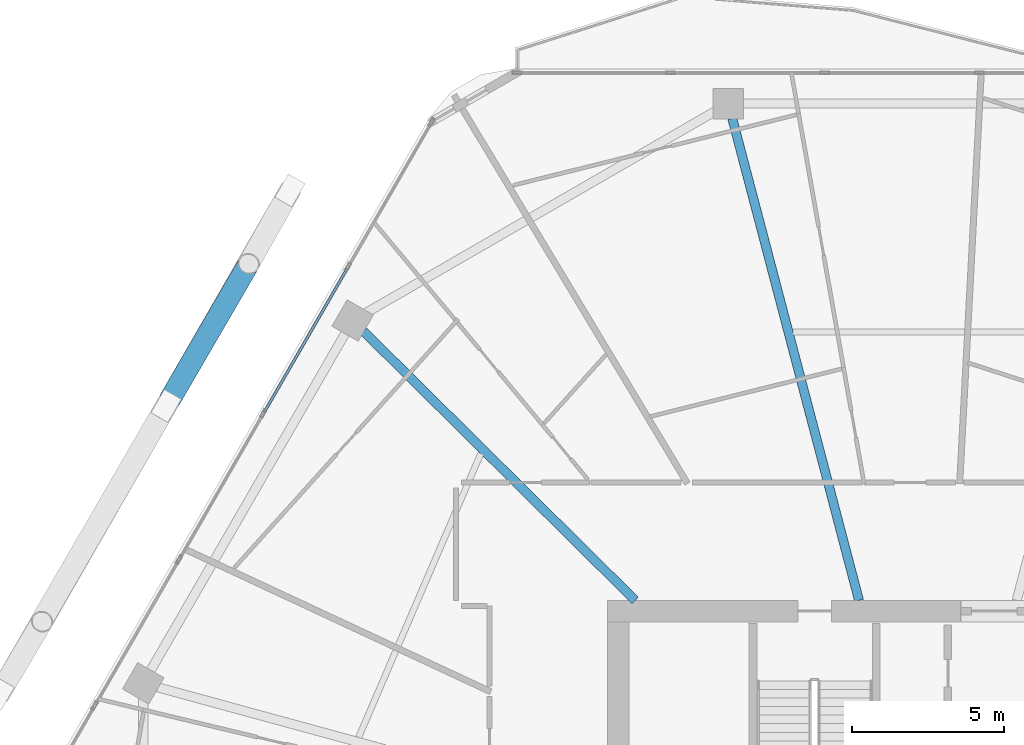
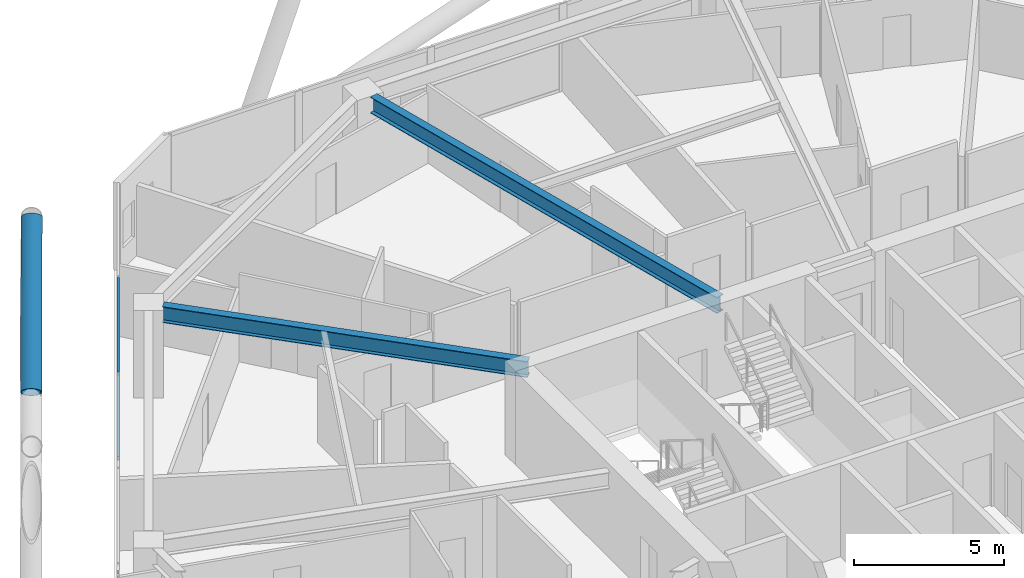
# One storey, part 12 of 29: 3 members, 2 beams, 1 element without a shape of its own.
"""IFC4 building model written with IfcOpenShell, lengths in metres."""

from ifc_helpers import new_model, si_unit, direction, frame, origin, origin_2d, place, context, subcontext, project, spatial, hollow_rectangle, hollow_circle, i_section, extrude, material, material_profile, profile_set, type_object, element, aggregate, save


model = new_model("IFC4")

# Units and contexts
model_context = context("Model", 3, precision=1e-05, world=origin(), true_north=direction((0.0, 1.0)))
body_context = subcontext(model_context, "Body", "Model", "MODEL_VIEW")
ifc_project = project(units=[si_unit("LENGTHUNIT", "METRE"), si_unit("AREAUNIT", "SQUARE_METRE"), si_unit("VOLUMEUNIT", "CUBIC_METRE"), si_unit("PLANEANGLEUNIT", "RADIAN"), si_unit("MASSUNIT", "GRAM", prefix="KILO")], contexts=[model_context])

# Site, building, storey
site_placement = place(None, origin())
site = spatial("IfcSite", under=ifc_project, at=site_placement, CompositionType="ELEMENT")
building_placement = place(site_placement, origin())
building = spatial("IfcBuilding", under=site, at=building_placement, Name="Zuhravey Tower", CompositionType="ELEMENT")
storey_placement = place(building_placement, frame((0.0, 0.0, 161.800048828125)))
storey = spatial("IfcBuildingStorey", under=building, at=storey_placement, Name="L40", CompositionType="ELEMENT", Elevation=161.800048828125)

# Curtain wall, members
ifc_material_1 = material(Name="Thermally broken anodised aluminium", Category="aluminium")
curtain_wall_type = type_object("IfcCurtainWallType", Name="Zone 1-2 Residential Curtain Wall CW3", PredefinedType="NOTDEFINED", material=ifc_material_1)
curtain_wall_placement = place(storey_placement, origin())
curtain_wall = element("IfcCurtainWall", 1, at=curtain_wall_placement, inside=storey, type_object=curtain_wall_type, Name="L40 CW3 CW-L40-F3-1", PredefinedType="NOTDEFINED")
ifc_material_2 = material(Name="Anodised aluminium", Category="aluminium")
ifc_material_profile_1 = material_profile(ifc_material_2, hollow_rectangle(XDim=0.090087890625, YDim=0.14990234375, WallThickness=0.0048828125, at=origin_2d()), Name="ALU-RHS-90x150x5")
ifc_profile_set_1 = profile_set([ifc_material_profile_1], Name="Anodised aluminium")
member_type_1 = type_object("IfcMemberType", Name="Curtain-Wall Transom 90x150", PredefinedType="USERDEFINED", material=ifc_profile_set_1)
member_1_placement = place(storey_placement, frame((13.867431640625, 48.03125, 0.044921875), z_axis=(0.49996138257, 0.86604769842, 0.0), x_axis=(-0.86604769842, 0.49996138257, 0.0)))
member_1 = element("IfcMember", 2, at=member_1_placement, type_object=member_type_1, Name="CW3 transom 4.1", ObjectType="TRANSOM", PredefinedType="USERDEFINED", context=body_context, shape_type="SweptSolid", body=[
    extrude(hollow_rectangle(XDim=0.090087890625, YDim=0.14990234375, WallThickness=0.0048828125, at=origin_2d()), origin(), (0.0, 0.0, 1.0), 5.45458984375),
])
member_2_placement = place(storey_placement, frame((13.867431640625, 48.03125, 3.5048828125), z_axis=(0.49996138257, 0.86604769842, 0.0), x_axis=(-0.86604769842, 0.49996138257, 0.0)))
member_2 = element("IfcMember", 3, at=member_2_placement, type_object=member_type_1, Name="CW3 transom 4.2", ObjectType="TRANSOM", PredefinedType="USERDEFINED", context=body_context, shape_type="SweptSolid", body=[
    extrude(hollow_rectangle(XDim=0.090087890625, YDim=0.14990234375, WallThickness=0.0048828125, at=origin_2d()), origin(), (0.0, 0.0, 1.0), 5.45458984375),
])
aggregate(curtain_wall, [member_1, member_2])

# Member
ifc_material_3 = material(Name="Steel SM460", Category="steel")
ifc_material_profile_2 = material_profile(ifc_material_3, hollow_circle(Radius=0.355712890625, WallThickness=0.031982421875, at=origin_2d()), Name="CHS-711.2x32")
ifc_profile_set_2 = profile_set([ifc_material_profile_2], Name="Steel SM460")
member_type_2 = type_object("IfcMemberType", Name="Exoskeleton Zone 2 Diagrid CHS711x32", PredefinedType="BRACE", material=ifc_profile_set_2)
member_3_placement = place(storey_placement, frame((10.787109375, 48.484619140625, 3.534912109375), z_axis=(0.410689024779, 0.706843105016, 0.575940404744), x_axis=(-0.864648681518, 0.502377007386, 0.0)))
element("IfcMember", 4, at=member_3_placement, inside=storey, type_object=member_type_2, Name="L40 Face 3 Split Diagrid Brace 3B", PredefinedType="BRACE", context=body_context, shape_type="SweptSolid", body=[
    extrude(hollow_circle(Radius=0.355712890625, WallThickness=0.031982421875, at=origin_2d()), origin(), (0.0, 0.0, 1.0), 6.205078125),
])

# Beams
ifc_material_4 = material(Name="Steel SM355", Category="steel")
ifc_material_profile_3 = material_profile(ifc_material_4, i_section(OverallWidth=0.300048828125, OverallDepth=0.64990234375, WebThickness=0.012939453125, FlangeThickness=0.02197265625, at=origin_2d()), Name="H-650x300x13x22")
ifc_profile_set_3 = profile_set([ifc_material_profile_3], Name="Steel SM355")
beam_type = type_object("IfcBeamType", Name="Radial Primary Girder H650x300", PredefinedType="BEAM", material=ifc_profile_set_3)
beam_1_placement = place(storey_placement, frame((33.4091796875, 41.85302734375, 3.224853515625), z_axis=(-0.254300244998, 0.967125320418, 0.0), x_axis=(-0.967125320418, -0.254300244998, 0.0)))
element("IfcBeam", 5, at=beam_1_placement, inside=storey, type_object=beam_type, Name="L40 RG2 BM-L40-RAD-04", PredefinedType="BEAM", context=body_context, shape_type="SweptSolid", body=[
    extrude(i_section(OverallWidth=0.300048828125, OverallDepth=0.64990234375, WebThickness=0.012939453125, FlangeThickness=0.02197265625, at=origin_2d()), origin(), (0.0, 0.0, 1.0), 16.371826171875),
])
beam_2_placement = place(storey_placement, frame((26.054443359375, 41.85302734375, 3.224853515625), z_axis=(-0.71040353357, 0.703794586148, 0.0), x_axis=(-0.703794586148, -0.71040353357, 0.0)))
element("IfcBeam", 6, at=beam_2_placement, inside=storey, type_object=beam_type, Name="L40 RG2 BM-L40-RAD-05", PredefinedType="BEAM", context=body_context, shape_type="SweptSolid", body=[
    extrude(i_section(OverallWidth=0.300048828125, OverallDepth=0.64990234375, WebThickness=0.012939453125, FlangeThickness=0.02197265625, at=origin_2d()), origin(), (0.0, 0.0, 1.0), 12.559814453125),
])

save(model, "model.ifc")
